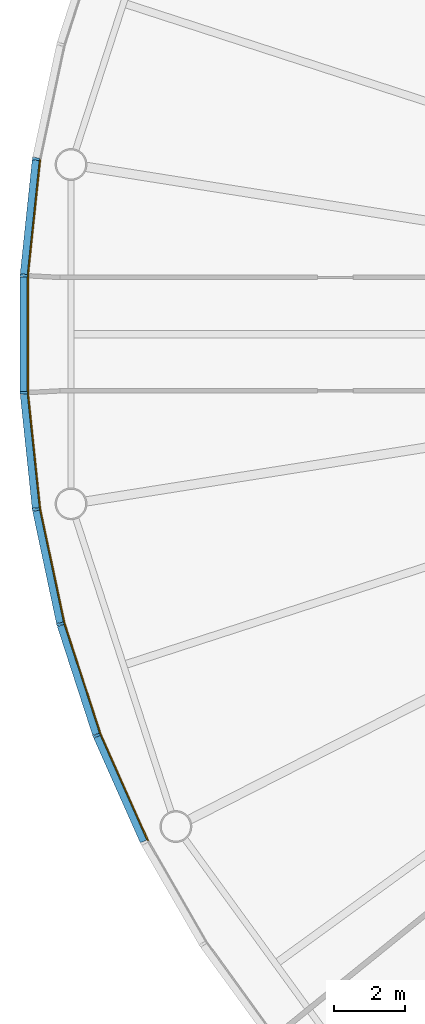
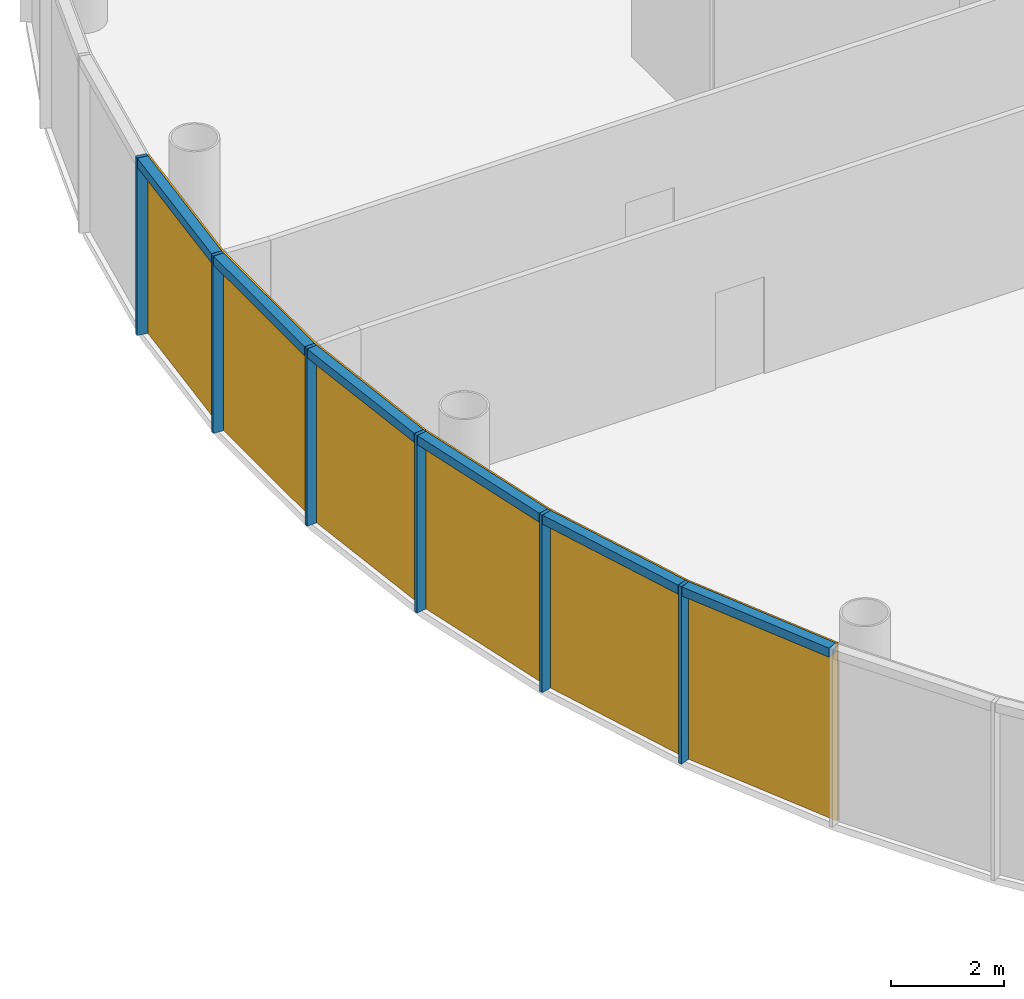
# One storey, part 8 of 13: 12 members, 2 curtain walls.
"""IFC4 building model written with IfcOpenShell, lengths in metres."""

from ifc_helpers import new_model, si_unit, direction, frame, origin, origin_2d, place, context, subcontext, project, spatial, polyline, rectangle, outline, extrude, material, layer, layer_set, material_profile, profile_set, type_object, element, aggregate, save


model = new_model("IFC4")

# Units and contexts
model_context = context("Model", 3, precision=1e-05, world=origin(), true_north=direction((0.0, 1.0)))
body_context = subcontext(model_context, "Body", "Model", "MODEL_VIEW")
ifc_project = project(units=[si_unit("LENGTHUNIT", "METRE"), si_unit("AREAUNIT", "SQUARE_METRE"), si_unit("VOLUMEUNIT", "CUBIC_METRE"), si_unit("PLANEANGLEUNIT", "RADIAN"), si_unit("MASSUNIT", "GRAM", prefix="KILO")], contexts=[model_context])

# Member
ifc_material_1 = material(Name="Anodised aluminium", Category="aluminium")
ifc_material_profile_1 = material_profile(ifc_material_1, rectangle(XDim=0.070068359375, YDim=0.205078125, at=origin_2d()), Name="Mullion 70 x 205 mm anodised aluminium")
ifc_profile_set_1 = profile_set([ifc_material_profile_1], Name="Anodised aluminium")
member_type_1 = type_object("IfcMemberType", Name="Mullion 70 x 205 mm anodised aluminium", PredefinedType="MULLION", material=ifc_profile_set_1)
site_placement = place(None, origin())
building_placement = place(site_placement, origin())
storey_placement = place(building_placement, frame((0.0, 0.0, 344.0)))
member_1_placement = place(storey_placement, frame((58.78662109375, 84.943603515625, 0.0), z_axis=(0.0, 0.0, 1.0), x_axis=(-0.15643446504, -0.987688340595, 0.0)))
member_1 = element("IfcMember", 1, at=member_1_placement, type_object=member_type_1, Name="MULLION L79-27", PredefinedType="MULLION", context=body_context, shape_type="SweptSolid", body=[
    extrude(rectangle(XDim=0.070068359375, YDim=0.205078125, at=origin_2d()), origin(), (0.0, 0.0, 1.0), 3.85009765625),
])

member_2_placement = place(storey_placement, frame((58.44091796875, 81.654052734375, 0.0), z_axis=(0.0, 0.0, 1.0), x_axis=(-0.052335956243, -0.998629534755, 0.0)))
member_2 = element("IfcMember", 2, at=member_2_placement, type_object=member_type_1, Name="MULLION L79-28", PredefinedType="MULLION", context=body_context, shape_type="SweptSolid", body=[
    extrude(rectangle(XDim=0.070068359375, YDim=0.205078125, at=origin_2d()), origin(), (0.0, 0.0, 1.0), 3.85009765625),
])

member_3_placement = place(storey_placement, frame((58.44091796875, 78.345947265625, 0.0), z_axis=(0.0, 0.0, 1.0), x_axis=(0.052335956243, -0.998629534755, 0.0)))
member_3 = element("IfcMember", 3, at=member_3_placement, type_object=member_type_1, Name="MULLION L79-29", PredefinedType="MULLION", context=body_context, shape_type="SweptSolid", body=[
    extrude(rectangle(XDim=0.070068359375, YDim=0.205078125, at=origin_2d()), origin(), (0.0, 0.0, 1.0), 3.85009765625),
])

member_4_placement = place(storey_placement, frame((58.78662109375, 75.056396484375, 0.0), z_axis=(0.0, 0.0, 1.0), x_axis=(0.15643446504, -0.987688340595, 0.0)))
member_4 = element("IfcMember", 4, at=member_4_placement, type_object=member_type_1, Name="MULLION L79-30", PredefinedType="MULLION", context=body_context, shape_type="SweptSolid", body=[
    extrude(rectangle(XDim=0.070068359375, YDim=0.205078125, at=origin_2d()), origin(), (0.0, 0.0, 1.0), 3.85009765625),
])

member_5_placement = place(storey_placement, frame((59.474365234375, 71.820556640625, 0.0), z_axis=(0.0, 0.0, 1.0), x_axis=(0.258819045103, -0.965925826289, 0.0)))
member_5 = element("IfcMember", 5, at=member_5_placement, type_object=member_type_1, Name="MULLION L79-31", PredefinedType="MULLION", context=body_context, shape_type="SweptSolid", body=[
    extrude(rectangle(XDim=0.070068359375, YDim=0.205078125, at=origin_2d()), origin(), (0.0, 0.0, 1.0), 3.85009765625),
])

member_6_placement = place(storey_placement, frame((60.49658203125, 68.674560546875, 0.0), z_axis=(0.0, 0.0, 1.0), x_axis=(0.358367949545, -0.933580426497, 0.0)))
member_6 = element("IfcMember", 6, at=member_6_placement, type_object=member_type_1, Name="MULLION L79-32", PredefinedType="MULLION", context=body_context, shape_type="SweptSolid", body=[
    extrude(rectangle(XDim=0.070068359375, YDim=0.205078125, at=origin_2d()), origin(), (0.0, 0.0, 1.0), 3.85009765625),
])

ifc_material_2 = material(Name="Anodised aluminium", Category="aluminium")
ifc_material_profile_2 = material_profile(ifc_material_2, rectangle(XDim=0.205078125, YDim=0.195068359375, at=origin_2d()), Name="Transom 195 x 205 mm anodised aluminium")
ifc_profile_set_2 = profile_set([ifc_material_profile_2], Name="Anodised aluminium")
member_type_2 = type_object("IfcMemberType", Name="Transom 195 x 205 mm anodised aluminium", PredefinedType="USERDEFINED", material=ifc_profile_set_2)
member_7_placement = place(storey_placement, frame((58.7822265625, 84.903564453125, 3.75244140625), z_axis=(-0.104550890115, -0.994519537956, 0.0), x_axis=(0.994519537956, -0.104550890115, 0.0)))
member_7 = element("IfcMember", 7, at=member_7_placement, type_object=member_type_2, Name="TRANSOM L79-27", ObjectType="TRANSOM", PredefinedType="USERDEFINED", context=body_context, shape_type="SweptSolid", body=[
    extrude(rectangle(XDim=0.205078125, YDim=0.195068359375, at=origin_2d()), origin(), (0.0, 0.0, 1.0), 3.22705078125),
])

member_8_placement = place(storey_placement, frame((58.440673828125, 81.613525390625, 3.75244140625), z_axis=(0.0, -1.0, 0.0), x_axis=(1.0, 0.0, 0.0)))
member_8 = element("IfcMember", 8, at=member_8_placement, type_object=member_type_2, Name="TRANSOM L79-28", ObjectType="TRANSOM", PredefinedType="USERDEFINED", context=body_context, shape_type="SweptSolid", body=[
    extrude(rectangle(XDim=0.205078125, YDim=0.195068359375, at=origin_2d()), origin(), (0.0, 0.0, 1.0), 3.22705078125),
])

member_9_placement = place(storey_placement, frame((58.44482421875, 78.305908203125, 3.75244140625), z_axis=(0.104550890115, -0.994519537956, 0.0), x_axis=(0.994519537956, 0.104550890115, 0.0)))
member_9 = element("IfcMember", 9, at=member_9_placement, type_object=member_type_2, Name="TRANSOM L79-29", ObjectType="TRANSOM", PredefinedType="USERDEFINED", context=body_context, shape_type="SweptSolid", body=[
    extrude(rectangle(XDim=0.205078125, YDim=0.195068359375, at=origin_2d()), origin(), (0.0, 0.0, 1.0), 3.22705078125),
])

member_10_placement = place(storey_placement, frame((58.794921875, 75.016845703125, 3.75244140625), z_axis=(0.207885898771, -0.978153082647, 0.0), x_axis=(0.978153082647, 0.207885898771, 0.0)))
member_10 = element("IfcMember", 10, at=member_10_placement, type_object=member_type_2, Name="TRANSOM L79-30", ObjectType="TRANSOM", PredefinedType="USERDEFINED", context=body_context, shape_type="SweptSolid", body=[
    extrude(rectangle(XDim=0.205078125, YDim=0.195068359375, at=origin_2d()), origin(), (0.0, 0.0, 1.0), 3.227294921875),
])

member_11_placement = place(storey_placement, frame((59.486572265625, 71.7822265625, 3.75244140625), z_axis=(0.309046726844, -0.951046855117, 0.0), x_axis=(0.951046855117, 0.309046726844, 0.0)))
member_11 = element("IfcMember", 11, at=member_11_placement, type_object=member_type_2, Name="TRANSOM L79-31", ObjectType="TRANSOM", PredefinedType="USERDEFINED", context=body_context, shape_type="SweptSolid", body=[
    extrude(rectangle(XDim=0.205078125, YDim=0.195068359375, at=origin_2d()), origin(), (0.0, 0.0, 1.0), 3.22705078125),
])

member_12_placement = place(storey_placement, frame((60.5126953125, 68.6376953125, 3.75244140625), z_axis=(0.406791170024, -0.913521178731, 0.0), x_axis=(0.913521178731, 0.406791170024, 0.0)))
member_12 = element("IfcMember", 12, at=member_12_placement, type_object=member_type_2, Name="TRANSOM L79-32", ObjectType="TRANSOM", PredefinedType="USERDEFINED", context=body_context, shape_type="SweptSolid", body=[
    extrude(rectangle(XDim=0.205078125, YDim=0.195068359375, at=origin_2d()), origin(), (0.0, 0.0, 1.0), 3.22705078125),
])

# Site, building, storey
site = spatial("IfcSite", under=ifc_project, at=site_placement, CompositionType="ELEMENT")
building = spatial("IfcBuilding", under=site, at=building_placement, Name="Entoto Ring Tower", CompositionType="ELEMENT")
storey = spatial("IfcBuildingStorey", under=building, at=storey_placement, Name="L79", CompositionType="ELEMENT", Elevation=344.0)

# Curtain wall
ifc_material_3 = material(Name="Clear low-iron glass", Category="glass")
ifc_layer = layer(ifc_material_3, 0.035888671875)
ifc_layer_set = layer_set([ifc_layer], Name="Clear low-iron glass")
curtain_wall_type = type_object("IfcCurtainWallType", Name="Curtain wall system CW6 glazing 36 mm", PredefinedType="NOTDEFINED", material=ifc_layer_set)
curtain_wall_1_placement = place(storey_placement, origin())
curtain_wall_1 = element("IfcCurtainWall", 13, at=curtain_wall_1_placement, inside=storey, type_object=curtain_wall_type, Name="CW6 L79-10", PredefinedType="NOTDEFINED", context=body_context, shape_type="SweptSolid", body=[
    extrude(outline(polyline([(58.8876953125, 84.927734375), (58.543212890625, 81.648681640625), (58.543212890625, 78.351318359375), (58.8876953125, 75.072265625), (58.92333984375, 75.077880859375), (58.5791015625, 78.353271484375), (58.5791015625, 81.646728515625), (58.92333984375, 84.922119140625), (58.8876953125, 84.927734375)])), origin(), (0.0, 0.0, 1.0), 3.85009765625),
])

aggregate(curtain_wall_1, [member_1, member_2, member_3, member_7, member_8, member_9])

curtain_wall_2_placement = place(storey_placement, origin())
curtain_wall_2 = element("IfcCurtainWall", 14, at=curtain_wall_2_placement, inside=storey, type_object=curtain_wall_type, Name="CW6 L79-11", PredefinedType="NOTDEFINED", context=body_context, shape_type="SweptSolid", body=[
    extrude(outline(polyline([(58.8876953125, 75.072265625), (59.5732421875, 71.84716796875), (60.59228515625, 68.71142578125), (61.933349609375, 65.69921875), (61.96533203125, 65.715576171875), (60.6259765625, 68.724365234375), (59.608154296875, 71.8564453125), (58.92333984375, 75.077880859375), (58.8876953125, 75.072265625)])), origin(), (0.0, 0.0, 1.0), 3.85009765625),
])

aggregate(curtain_wall_2, [member_4, member_5, member_6, member_10, member_11, member_12])

save(model, "model.ifc")
